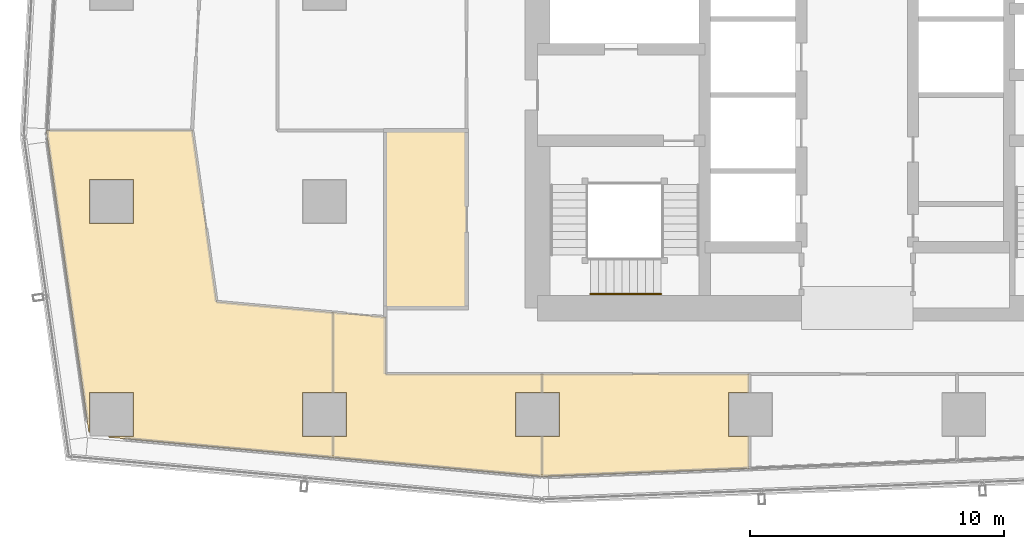
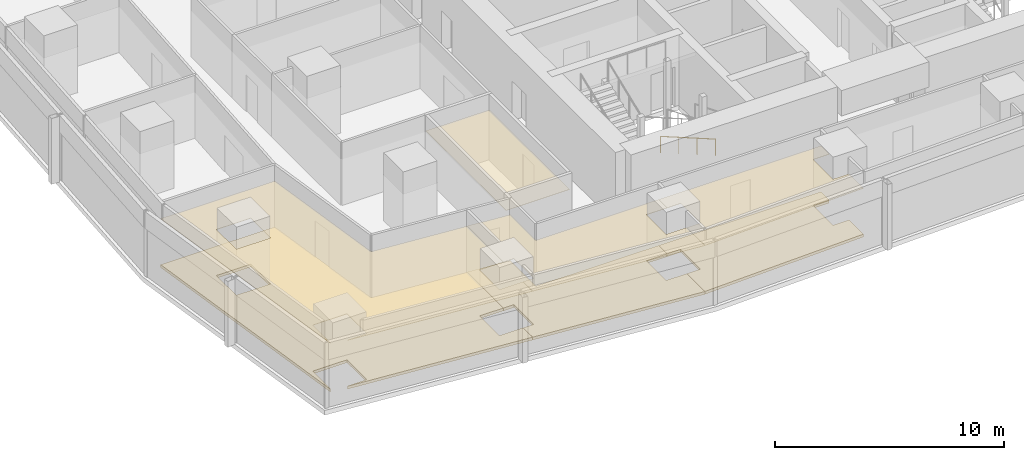
# One storey, part 33 of 40: 7 coverings, 1 railing.
"""IFC4 building model written with IfcOpenShell, lengths in metres."""

from ifc_helpers import new_model, si_unit, direction, frame, origin, origin_2d, place, context, subcontext, project, spatial, polyline, circle, outline, extrude, material, layer, layer_set, type_object, element, save


model = new_model("IFC4")

# Units and contexts
model_context = context("Model", 3, precision=1e-05, world=origin(), true_north=direction((0.0, 1.0)))
body_context = subcontext(model_context, "Body", "Model", "MODEL_VIEW")
ifc_project = project(units=[si_unit("LENGTHUNIT", "METRE"), si_unit("AREAUNIT", "SQUARE_METRE"), si_unit("VOLUMEUNIT", "CUBIC_METRE"), si_unit("PLANEANGLEUNIT", "RADIAN"), si_unit("MASSUNIT", "GRAM", prefix="KILO")], contexts=[model_context])

# Site, building, storey
site_placement = place(None, origin())
site = spatial("IfcSite", under=ifc_project, at=site_placement, CompositionType="ELEMENT")
building_placement = place(site_placement, origin())
building = spatial("IfcBuilding", under=site, at=building_placement, Name="Rekha Terrace Tower", CompositionType="ELEMENT")
storey_placement = place(building_placement, frame((0.0, 0.0, 140.300048828125)))
storey = spatial("IfcBuildingStorey", under=building, at=storey_placement, Name="L35", CompositionType="ELEMENT", Elevation=140.300048828125)

# Coverings
ifc_material_1 = material(Name="Mineral fibre tile in exposed grid", Category="finish")
ifc_layer_1 = layer(ifc_material_1, 0.02001953125)
ifc_layer_set_1 = layer_set([ifc_layer_1], Name="Mineral fibre tile in exposed grid")
covering_type_1 = type_object("IfcCoveringType", Name="CL1 600x1200 office grid ceiling", PredefinedType="CEILING", material=ifc_layer_set_1)
covering_1_placement = place(storey_placement, frame((0.0, 0.0, 2.579833984375)))
element("IfcCovering", 1, at=covering_1_placement, inside=storey, type_object=covering_type_1, Name="Ceiling L35-19", PredefinedType="CEILING", context=body_context, shape_type="SweptSolid", body=[
    extrude(outline(polyline([(7.514892578125, 16.096923828125), (7.534912109375, 16.097900390625), (7.534912109375, 17.6650390625), (9.264892578125, 17.6650390625), (9.264892578125, 15.93505859375), (8.283935546875, 15.93505859375), (8.282958984375, 15.912109375), (17.134033203125, 15.10791015625), (17.134033203125, 15.93505859375), (15.93505859375, 15.93505859375), (15.93505859375, 17.6650390625), (17.134033203125, 17.6650390625), (17.134033203125, 20.8310546875), (12.5458984375, 21.248046875), (11.593994140625, 27.9990234375), (5.837890625, 27.9990234375), (7.514892578125, 16.096923828125)]), holes=[polyline([(9.264892578125, 24.3349609375), (7.534912109375, 24.3349609375), (7.534912109375, 26.06494140625), (9.264892578125, 26.06494140625), (9.264892578125, 24.3349609375)])]), origin(), (0.0, 0.0, 1.0), 0.02001953125),
])
covering_2_placement = place(storey_placement, frame((0.0, 0.0, 2.579833984375)))
element("IfcCovering", 2, at=covering_2_placement, inside=storey, type_object=covering_type_1, Name="Ceiling L35-20", PredefinedType="CEILING", context=body_context, shape_type="SweptSolid", body=[
    extrude(outline(polyline([(17.6650390625, 15.93505859375), (17.135009765625, 15.93505859375), (17.135009765625, 15.10791015625), (25.37890625, 14.35888671875), (25.37890625, 15.93505859375), (24.3349609375, 15.93505859375), (24.3349609375, 17.6650390625), (25.37890625, 17.6650390625), (25.37890625, 18.39990234375), (19.199951171875, 18.39990234375), (19.199951171875, 20.64404296875), (17.135009765625, 20.8310546875), (17.135009765625, 17.6650390625), (17.6650390625, 17.6650390625), (17.6650390625, 15.93505859375)])), origin(), (0.0, 0.0, 1.0), 0.02001953125),
])
covering_3_placement = place(storey_placement, frame((0.0, 0.0, 2.579833984375)))
element("IfcCovering", 3, at=covering_3_placement, inside=storey, type_object=covering_type_1, Name="Ceiling L35-21", PredefinedType="CEILING", context=body_context, shape_type="SweptSolid", body=[
    extrude(outline(polyline([(25.3798828125, 15.93505859375), (25.3798828125, 14.363037109375), (33.5439453125, 14.680908203125), (33.5439453125, 15.93505859375), (32.735107421875, 15.93505859375), (32.735107421875, 17.6650390625), (33.5439453125, 17.6650390625), (33.5439453125, 18.39990234375), (25.3798828125, 18.39990234375), (25.3798828125, 17.6650390625), (26.06494140625, 17.6650390625), (26.06494140625, 15.93505859375), (25.3798828125, 15.93505859375)])), origin(), (0.0, 0.0, 1.0), 0.02001953125),
])
ifc_material_2 = material(Name="Fibre cement board", Category="finish")
ifc_layer_2 = layer(ifc_material_2, 0.014892578125)
ifc_layer_set_2 = layer_set([ifc_layer_2], Name="Fibre cement board")
covering_type_2 = type_object("IfcCoveringType", Name="CL2 moisture-resistant board ceiling", PredefinedType="CEILING", material=ifc_layer_set_2)
covering_4_placement = place(storey_placement, frame((0.0, 0.0, 2.5849609375)))
element("IfcCovering", 4, at=covering_4_placement, inside=storey, type_object=covering_type_2, Name="Ceiling L35-WCM", PredefinedType="CEILING", context=body_context, shape_type="SweptSolid", body=[
    extrude(outline(polyline([(22.39990234375, 28.0), (19.199951171875, 28.0), (19.199951171875, 21.0), (22.39990234375, 21.0), (22.39990234375, 28.0)])), origin(), (0.0, 0.0, 1.0), 0.014892578125),
])

# Railing
ifc_material_3 = material(Name="Stainless steel tube", Category="steel")
railing_type = type_object("IfcRailingType", Name="HR1 900 stair handrail", PredefinedType="HANDRAIL", material=ifc_material_3)
railing_placement = place(storey_placement, frame((30.074951171875, 21.56005859375, 1.375)))
element("IfcRailing", 5, at=railing_placement, inside=storey, type_object=railing_type, Name="Handrail ST1 L35 flight 2", PredefinedType="HANDRAIL", context=body_context, shape_type="SweptSolid", body=[
    extrude(circle(Radius=0.02392578125, at=origin_2d()), frame((0.0, 0.0, 0.8759765625), z_axis=(-0.927443287984, 0.0, 0.373963831907), x_axis=(0.0, -1.0, 0.0)), (0.0, 0.0, 1.0), 3.00830078125),
    extrude(circle(Radius=0.02099609375, at=origin_2d()), origin(), (0.0, 0.0, 1.0), 0.851806640625),
    extrude(circle(Radius=0.02099609375, at=origin_2d()), frame((-0.929931640625, 0.0, 0.375)), (0.0, 0.0, 1.0), 0.851806640625),
    extrude(circle(Radius=0.02099609375, at=origin_2d()), frame((-1.860107421875, 0.0, 0.75)), (0.0, 0.0, 1.0), 0.851806640625),
    extrude(circle(Radius=0.02099609375, at=origin_2d()), frame((-2.7900390625, 0.0, 1.125)), (0.0, 0.0, 1.0), 0.851806640625),
])

# Coverings
ifc_material_4 = material(Name="Calcium sulphate panels on steel pedestals", Category="steel")
ifc_layer_3 = layer(ifc_material_4, 0.14990234375)
ifc_layer_set_3 = layer_set([ifc_layer_3], Name="Calcium sulphate panels on steel pedestals")
covering_type_3 = type_object("IfcCoveringType", Name="RF1 150 raised access floor", PredefinedType="FLOORING", material=ifc_layer_set_3)
covering_5_placement = place(storey_placement, origin())
element("IfcCovering", 6, at=covering_5_placement, inside=storey, type_object=covering_type_3, Name="Raised floor L35-19", PredefinedType="FLOORING", context=body_context, shape_type="SweptSolid", body=[
    extrude(outline(polyline([(7.514892578125, 16.096923828125), (7.534912109375, 16.097900390625), (7.534912109375, 17.6650390625), (9.264892578125, 17.6650390625), (9.264892578125, 15.93505859375), (8.283935546875, 15.93505859375), (8.282958984375, 15.912109375), (17.134033203125, 15.10791015625), (17.134033203125, 15.93505859375), (15.93505859375, 15.93505859375), (15.93505859375, 17.6650390625), (17.134033203125, 17.6650390625), (17.134033203125, 20.8310546875), (12.5458984375, 21.248046875), (11.593994140625, 27.9990234375), (5.837890625, 27.9990234375), (7.514892578125, 16.096923828125)]), holes=[polyline([(9.264892578125, 24.3349609375), (7.534912109375, 24.3349609375), (7.534912109375, 26.06494140625), (9.264892578125, 26.06494140625), (9.264892578125, 24.3349609375)])]), origin(), (0.0, 0.0, 1.0), 0.14990234375),
])
covering_6_placement = place(storey_placement, origin())
element("IfcCovering", 7, at=covering_6_placement, inside=storey, type_object=covering_type_3, Name="Raised floor L35-20", PredefinedType="FLOORING", context=body_context, shape_type="SweptSolid", body=[
    extrude(outline(polyline([(17.6650390625, 15.93505859375), (17.135009765625, 15.93505859375), (17.135009765625, 15.10791015625), (25.37890625, 14.35888671875), (25.37890625, 15.93505859375), (24.3349609375, 15.93505859375), (24.3349609375, 17.6650390625), (25.37890625, 17.6650390625), (25.37890625, 18.39990234375), (19.199951171875, 18.39990234375), (19.199951171875, 20.64404296875), (17.135009765625, 20.8310546875), (17.135009765625, 17.6650390625), (17.6650390625, 17.6650390625), (17.6650390625, 15.93505859375)])), origin(), (0.0, 0.0, 1.0), 0.14990234375),
])
covering_7_placement = place(storey_placement, origin())
element("IfcCovering", 8, at=covering_7_placement, inside=storey, type_object=covering_type_3, Name="Raised floor L35-21", PredefinedType="FLOORING", context=body_context, shape_type="SweptSolid", body=[
    extrude(outline(polyline([(25.3798828125, 15.93505859375), (25.3798828125, 14.363037109375), (33.5439453125, 14.680908203125), (33.5439453125, 15.93505859375), (32.735107421875, 15.93505859375), (32.735107421875, 17.6650390625), (33.5439453125, 17.6650390625), (33.5439453125, 18.39990234375), (25.3798828125, 18.39990234375), (25.3798828125, 17.6650390625), (26.06494140625, 17.6650390625), (26.06494140625, 15.93505859375), (25.3798828125, 15.93505859375)])), origin(), (0.0, 0.0, 1.0), 0.14990234375),
])

save(model, "model.ifc")
